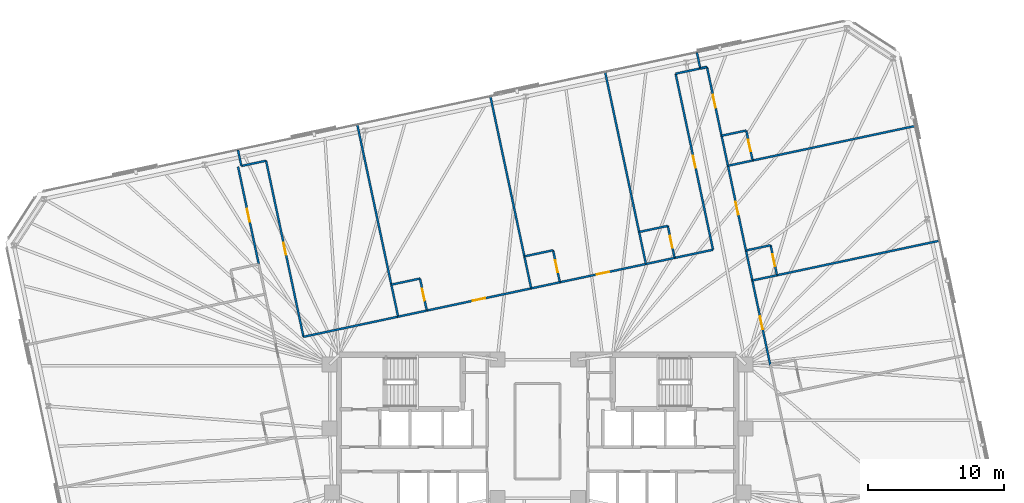
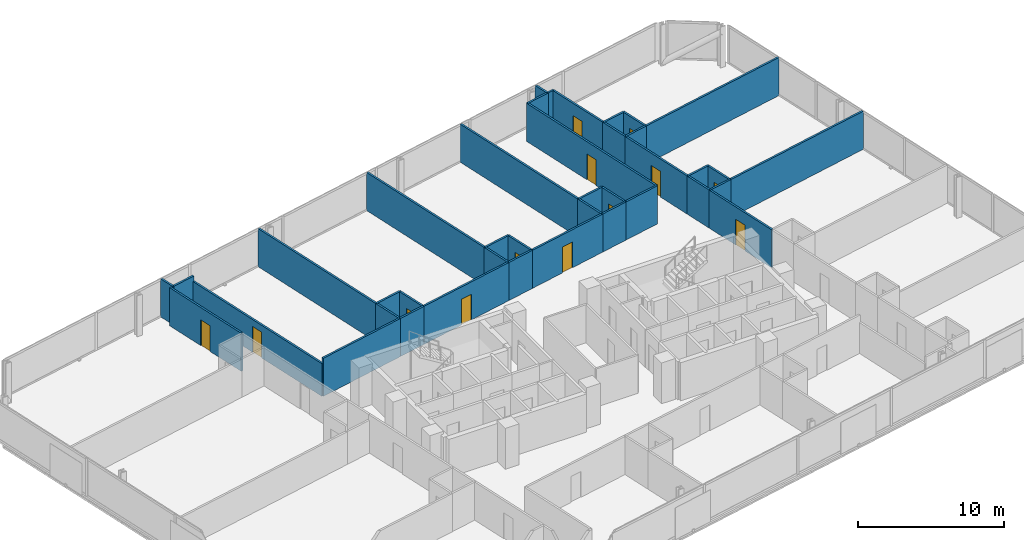
# One storey, part 17 of 19: 40 walls, 13 doors, 13 openings.
"""IFC4 building model written with IfcOpenShell, lengths in metres."""

import ifcopenshell
import ifcopenshell.guid

model = None  # the IFC model being written
_history = None  # IfcOwnerHistory: only IFC2X3 demands one
_inside = {}  # id of a spatial element -> (the spatial element, [elements in it])
_under = {}  # id of a project, library or spatial element -> (it, [spatial elements below it])
_declared = {}  # id of a project -> (the project, [libraries it declares])
_typed = {}  # id of a type object -> (the type object, [elements of that type])
_made_of = {}  # id of a material, layer set ... -> (it, [elements and type objects made of it])


def new_model(schema):
    """Start an empty IFC model of exactly this schema.

    Asked for "IFC4X3", IfcOpenShell would pick the latest addendum, in which some entities
    have other attributes; the version numbers below select the first issue.
    IFC2X3 requires an IfcOwnerHistory on every rooted entity: one is made here for all.
    """
    global model, _history
    if schema == "IFC4X3":
        model = ifcopenshell.file(schema_version=(4, 3, 0, 0))
    else:
        model = ifcopenshell.file(schema=schema)
    _inside.clear()
    _under.clear()
    _declared.clear()
    _typed.clear()
    _made_of.clear()
    _history = None
    if model.schema == "IFC2X3":
        org = make("IfcOrganization", Name="unknown")
        user = make(
            "IfcPersonAndOrganization",
            ThePerson=make("IfcPerson", FamilyName="unknown"),
            TheOrganization=org,
        )
        app = make(
            "IfcApplication",
            ApplicationDeveloper=org,
            Version="unknown",
            ApplicationFullName="unknown",
            ApplicationIdentifier="unknown",
        )
        _history = make(
            "IfcOwnerHistory",
            OwningUser=user,
            OwningApplication=app,
            ChangeAction="ADDED",
            CreationDate=0,
        )
    return model


def make(cls, **values):
    """One entity of the class cls with the attributes given. An attribute that is None is left unset."""
    return model.create_entity(
        cls, **{name: value for name, value in values.items() if value is not None}
    )


def rooted(cls, **values):
    """An entity with a GlobalId (a new one), such as an element, a storey or a relation."""
    return make(cls, GlobalId=ifcopenshell.guid.new(), OwnerHistory=_history, **values)


def si_unit(unit_type, name, prefix=None):
    """IfcSIUnit, for example si_unit("LENGTHUNIT", "METRE", prefix="MILLI")."""
    return make("IfcSIUnit", UnitType=unit_type, Prefix=prefix, Name=name)


def assignment(units):
    """IfcUnitAssignment: the units of a project."""
    return None if units is None else make("IfcUnitAssignment", Units=units)


def point(xyz):
    """IfcCartesianPoint."""
    return None if xyz is None else make("IfcCartesianPoint", Coordinates=xyz)


def direction(xyz):
    """IfcDirection."""
    return None if xyz is None else make("IfcDirection", DirectionRatios=xyz)


def frame(location, z_axis=None, x_axis=None):
    """IfcAxis2Placement3D, a coordinate frame: its origin and axes. An axis left out is left unset."""
    return make(
        "IfcAxis2Placement3D",
        Location=point(location),
        Axis=direction(z_axis),
        RefDirection=direction(x_axis),
    )


def frame_2d(location, x_axis=None):
    """IfcAxis2Placement2D, a coordinate frame in the plane: its origin and x axis."""
    return make(
        "IfcAxis2Placement2D", Location=point(location), RefDirection=direction(x_axis)
    )


def origin():
    """The frame at (0, 0, 0) with its axes left unset."""
    return frame((0.0, 0.0, 0.0))


def place(relative_to, where):
    """IfcLocalPlacement: puts the frame where relative to a parent placement (None: the world)."""
    return make(
        "IfcLocalPlacement", PlacementRelTo=relative_to, RelativePlacement=where
    )


def context(
    kind, dimensions, precision=None, world=None, true_north=None, identifier=None
):
    """IfcGeometricRepresentationContext, for example the 3D "Model" context."""
    return make(
        "IfcGeometricRepresentationContext",
        ContextIdentifier=identifier,
        ContextType=kind,
        CoordinateSpaceDimension=dimensions,
        Precision=precision,
        WorldCoordinateSystem=world,
        TrueNorth=true_north,
    )


def subcontext(parent, identifier, kind, view, scale=None):
    """IfcGeometricRepresentationSubContext, for example "Body" below "Model"."""
    return make(
        "IfcGeometricRepresentationSubContext",
        ContextIdentifier=identifier,
        ContextType=kind,
        ParentContext=parent,
        TargetScale=scale,
        TargetView=view,
    )


def project(units=None, contexts=None):
    """IfcProject with its units and contexts."""
    return rooted(
        "IfcProject",
        Name="project",
        RepresentationContexts=contexts,
        UnitsInContext=assignment(units),
    )


def spatial(cls, under=None, at=None, **own):
    """A site, building, storey or space (cls), placed at a placement, below another one or the project."""
    s = rooted(cls, ObjectPlacement=at, **own)
    if under is not None:
        _under.setdefault(under.id(), (under, []))[1].append(s)
    return s


def profile(cls, at=None, kind="AREA", **sizes):
    """A parametric profile (cls). Its sizes go by their IFC names, for example OverallWidth=200.0."""
    return make(cls, ProfileType=kind, Position=at, **sizes)


def rectangle(**sizes):
    """IfcRectangleProfileDef."""
    return profile("IfcRectangleProfileDef", **sizes)


def extrude(swept, where, along, depth):
    """IfcExtrudedAreaSolid: the profile swept, set in the frame where, extruded along a direction by depth."""
    return make(
        "IfcExtrudedAreaSolid",
        SweptArea=swept,
        Position=where,
        ExtrudedDirection=direction(along),
        Depth=depth,
    )


def shape(context_of_items, identifier, shape_type, items):
    """IfcShapeRepresentation: the items that make up one representation, for example the "Body"."""
    return make(
        "IfcShapeRepresentation",
        ContextOfItems=context_of_items,
        RepresentationIdentifier=identifier,
        RepresentationType=shape_type,
        Items=items,
    )


def material(Name=None, Category=None):
    """IfcMaterial."""
    return make("IfcMaterial", Name=Name, Category=Category)


def layer(
    of_material, thickness, ventilated=None, Name=None, Category=None, Priority=None
):
    """IfcMaterialLayer: one layer of a wall or slab, of a material (None: an air gap)."""
    return make(
        "IfcMaterialLayer",
        Material=of_material,
        LayerThickness=thickness,
        IsVentilated=ventilated,
        Name=Name,
        Category=Category,
        Priority=Priority,
    )


def layer_set(layers, Name=None):
    """IfcMaterialLayerSet."""
    return make("IfcMaterialLayerSet", MaterialLayers=layers, LayerSetName=Name)


def made_of(thing, what):
    """Note that an element or type object is made of a material, layer set ...; save() writes the relation."""
    if what is not None:
        _made_of.setdefault(what.id(), (what, []))[1].append(thing)
    return thing


def type_object(cls, material=None, **own):
    """A type object (cls), such as IfcWallType, which elements share."""
    return made_of(rooted(cls, **own), material)


def element(
    cls,
    number,
    at=None,
    inside=None,
    cuts=None,
    type_object=None,
    material=None,
    context=None,
    identifier="Body",
    shape_type=None,
    held_by="IfcProductDefinitionShape",
    body=None,
    shapes=None,
    **own,
):
    """One element of the class cls, such as IfcWall. Its Tag is "e" and its number.

    at: its placement. inside: the storey or other place that contains it. cuts: it is an
    opening in that element (IfcRelVoidsElement). A single representation is given by context,
    identifier, shape_type and body (its items); several are given by shapes. held_by: the class
    of the entity that holds the representations. save() writes the other relations.
    """
    e = rooted(cls, Tag="e%d" % number, ObjectPlacement=at, **own)
    if body is not None:
        shapes = [shape(context, identifier, shape_type, body)]
    if shapes is not None:
        e.Representation = make(held_by, Representations=shapes)
    if inside is not None:
        _inside.setdefault(inside.id(), (inside, []))[1].append(e)
    if cuts is not None:
        rooted(
            "IfcRelVoidsElement", RelatingBuildingElement=cuts, RelatedOpeningElement=e
        )
    if type_object is not None:
        _typed.setdefault(type_object.id(), (type_object, []))[1].append(e)
    return made_of(e, material)


def fill(opening, filler):
    """IfcRelFillsElement: the door or window that sits in an opening."""
    return rooted(
        "IfcRelFillsElement",
        RelatingOpeningElement=opening,
        RelatedBuildingElement=filler,
    )


def aggregate(whole, parts):
    """IfcRelAggregates: a whole, such as a stair, and the parts it consists of."""
    return rooted("IfcRelAggregates", RelatingObject=whole, RelatedObjects=parts)


def save(model, path):
    """Write the relations noted so far, then the file.

    IfcRelAggregates (storeys below a building ...), IfcRelContainedInSpatialStructure (elements
    in a storey), IfcRelDefinesByType, IfcRelAssociatesMaterial and IfcRelDeclares: one each for
    every whole, place, type object, material and project.
    """
    for whole, parts in _under.values():
        aggregate(whole, parts)
    for where, things in _inside.values():
        rooted(
            "IfcRelContainedInSpatialStructure",
            RelatedElements=things,
            RelatingStructure=where,
        )
    for kind, things in _typed.values():
        rooted("IfcRelDefinesByType", RelatedObjects=things, RelatingType=kind)
    for what, things in _made_of.values():
        rooted("IfcRelAssociatesMaterial", RelatedObjects=things, RelatingMaterial=what)
    for by, libraries in _declared.values():
        rooted("IfcRelDeclares", RelatingContext=by, RelatedDefinitions=libraries)
    model.write(path)


model = new_model("IFC4")

# Units and contexts
model_context = context("Model", 3, precision=1e-05, world=origin(), true_north=direction((0.0, 1.0)))
body_context = subcontext(model_context, "Body", "Model", "MODEL_VIEW")
ifc_project = project(units=[si_unit("LENGTHUNIT", "METRE"), si_unit("AREAUNIT", "SQUARE_METRE"), si_unit("VOLUMEUNIT", "CUBIC_METRE"), si_unit("PLANEANGLEUNIT", "RADIAN"), si_unit("MASSUNIT", "GRAM", prefix="KILO")], contexts=[model_context])

# Site, building, storey
site_placement = place(None, origin())
site = spatial("IfcSite", under=ifc_project, at=site_placement, CompositionType="ELEMENT")
building_placement = place(site_placement, origin())
building = spatial("IfcBuilding", under=site, at=building_placement, Name="Menara Jurai Vektor", CompositionType="ELEMENT")
storey_placement = place(building_placement, frame((0.0, 0.0, 195.60009765625)))
storey = spatial("IfcBuildingStorey", under=building, at=storey_placement, Name="L51", CompositionType="ELEMENT", Elevation=195.60009765625)

# Walls
ifc_material_1 = material(Name="Gypsum Fireboard Partition", Category="gypsum")
ifc_layer_1 = layer(ifc_material_1, 0.14990234375)
ifc_layer_set_1 = layer_set([ifc_layer_1], Name="Gypsum Fireboard Partition")
wall_type_1 = type_object("IfcWallType", Name="INT-WALL-CORR-150", PredefinedType="PARTITIONING", material=ifc_layer_set_1)
wall_1_placement = place(storey_placement, frame((-21.71533203125, 19.447998046875, 0.0), z_axis=(0.0, 0.0, 1.0), x_axis=(0.978160192495, 0.207852442415, 0.0)))
element("IfcWall", 1, at=wall_1_placement, inside=storey, type_object=wall_type_1, Name="Interior Wall IW-150 L51", PredefinedType="PARTITIONING", context=body_context, shape_type="SweptSolid", body=[
    extrude(rectangle(XDim=1.849853515625, YDim=0.14990234375, at=frame_2d((0.9248046875, 0.0))), origin(), (0.0, 0.0, 1.0), 3.1748046875),
])
wall_2_placement = place(storey_placement, frame((-17.162353515625, 6.92578125, 0.0), z_axis=(0.0, 0.0, 1.0), x_axis=(0.978143627193, 0.207930383978, 0.0)))
element("IfcWall", 2, at=wall_2_placement, inside=storey, type_object=wall_type_1, Name="Interior Wall IW-150 L51", PredefinedType="PARTITIONING", context=body_context, shape_type="SweptSolid", body=[
    extrude(rectangle(XDim=7.093017578125, YDim=0.14990234375, at=frame_2d((3.54638671875, 0.0))), origin(), (0.0, 0.0, 1.0), 3.1748046875),
])

# Wall, opening, door
wall_3_placement = place(storey_placement, frame((-8.121337890625, 8.84765625, 0.0), z_axis=(0.0, 0.0, 1.0), x_axis=(0.978146318695, 0.207917722244, 0.0)))
wall_3 = element("IfcWall", 3, at=wall_3_placement, inside=storey, type_object=wall_type_1, Name="Interior Wall IW-150 L51", PredefinedType="PARTITIONING", context=body_context, shape_type="SweptSolid", body=[
    extrude(rectangle(XDim=7.82373046875, YDim=0.14990234375, at=frame_2d((3.911865234375, 0.0))), origin(), (0.0, 0.0, 1.0), 3.1748046875),
])
opening_1_placement = place(wall_3_placement, frame((3.451904296875, 0.0, 0.0)))
opening_1 = element("IfcOpeningElement", 4, at=opening_1_placement, cuts=wall_3, Name="Opening D51-08", PredefinedType="OPENING", context=body_context, shape_type="SweptSolid", body=[
    extrude(rectangle(XDim=0.919921875, YDim=2.14990234375, at=frame_2d((0.4599609375, 1.074951171875))), frame((0.0, 0.0849609375, 0.0), z_axis=(0.0, -1.0, 0.0), x_axis=(1.0, 0.0, 0.0)), (0.0, 0.0, 1.0), 0.169921875),
])
ifc_material_2 = material(Name="Solid Core Timber Fire Door", Category="wood")
door_type_1 = type_object("IfcDoorType", Name="DR-ENTRY-950", OperationType="NOTDEFINED", PredefinedType="DOOR", material=ifc_material_2)
door_1_placement = place(opening_1_placement, origin())
door_1 = element("IfcDoor", 5, at=door_1_placement, inside=storey, type_object=door_type_1, Name="Interior Door D51-08", OperationType="SINGLE_SWING_LEFT", OverallHeight=2.14990234375, OverallWidth=0.919921875, PredefinedType="DOOR", context=body_context, shape_type="SweptSolid", body=[
    extrude(rectangle(XDim=0.919921875, YDim=2.14990234375, at=frame_2d((0.4599609375, 1.074951171875))), frame((0.0, 0.02490234375, 0.0), z_axis=(0.0, -1.0, 0.0), x_axis=(1.0, 0.0, 0.0)), (0.0, 0.0, 1.0), 0.050048828125),
])
fill(opening_1, door_1)

# Wall
wall_4_placement = place(storey_placement, frame((-10.224365234375, 8.400634765625, 0.0), z_axis=(0.0, 0.0, 1.0), x_axis=(0.978146728319, 0.207915795165, 0.0)))
element("IfcWall", 6, at=wall_4_placement, inside=storey, type_object=wall_type_1, Name="Interior Wall IW-150 L51", PredefinedType="PARTITIONING", context=body_context, shape_type="SweptSolid", body=[
    extrude(rectangle(XDim=2.14990234375, YDim=0.14990234375, at=frame_2d((1.074951171875, 0.0))), origin(), (0.0, 0.0, 1.0), 3.1748046875),
])

# Wall, opening, door
wall_5_placement = place(storey_placement, frame((1.634521484375, 10.92138671875, 0.0), z_axis=(0.0, 0.0, 1.0), x_axis=(0.978147881284, 0.207910370927, 0.0)))
wall_5 = element("IfcWall", 7, at=wall_5_placement, inside=storey, type_object=wall_type_1, Name="Interior Wall IW-150 L51", PredefinedType="PARTITIONING", context=body_context, shape_type="SweptSolid", body=[
    extrude(rectangle(XDim=6.448974609375, YDim=0.14990234375, at=frame_2d((3.224609375, 0.0))), origin(), (0.0, 0.0, 1.0), 3.1748046875),
])
opening_2_placement = place(wall_5_placement, frame((2.764404296875, 0.0, 0.0)))
opening_2 = element("IfcOpeningElement", 8, at=opening_2_placement, cuts=wall_5, Name="Opening D51-10", PredefinedType="OPENING", context=body_context, shape_type="SweptSolid", body=[
    extrude(rectangle(XDim=0.919921875, YDim=2.14990234375, at=frame_2d((0.4599609375, 1.074951171875))), frame((0.0, 0.0849609375, 0.0), z_axis=(0.0, -1.0, 0.0), x_axis=(1.0, 0.0, 0.0)), (0.0, 0.0, 1.0), 0.169921875),
])
door_2_placement = place(opening_2_placement, origin())
door_2 = element("IfcDoor", 9, at=door_2_placement, inside=storey, type_object=door_type_1, Name="Interior Door D51-10", OperationType="SINGLE_SWING_LEFT", OverallHeight=2.14990234375, OverallWidth=0.919921875, PredefinedType="DOOR", context=body_context, shape_type="SweptSolid", body=[
    extrude(rectangle(XDim=0.919921875, YDim=2.14990234375, at=frame_2d((0.4599609375, 1.074951171875))), frame((0.0, 0.02490234375, 0.0), z_axis=(0.0, -1.0, 0.0), x_axis=(1.0, 0.0, 0.0)), (0.0, 0.0, 1.0), 0.050048828125),
])
fill(opening_2, door_2)

# Walls
wall_6_placement = place(storey_placement, frame((-0.468505859375, 10.474365234375, 0.0), z_axis=(0.0, 0.0, 1.0), x_axis=(0.978146728319, 0.207915795165, 0.0)))
element("IfcWall", 10, at=wall_6_placement, inside=storey, type_object=wall_type_1, Name="Interior Wall IW-150 L51", PredefinedType="PARTITIONING", context=body_context, shape_type="SweptSolid", body=[
    extrude(rectangle(XDim=2.14990234375, YDim=0.14990234375, at=frame_2d((1.074951171875, 0.0))), origin(), (0.0, 0.0, 1.0), 3.1748046875),
])
wall_7_placement = place(storey_placement, frame((10.045654296875, 12.709228515625, 0.0), z_axis=(0.0, 0.0, 1.0), x_axis=(0.97816208355, 0.207843542851, 0.0)))
element("IfcWall", 11, at=wall_7_placement, inside=storey, type_object=wall_type_1, Name="Interior Wall IW-150 L51", PredefinedType="PARTITIONING", context=body_context, shape_type="SweptSolid", body=[
    extrude(rectangle(XDim=2.879150390625, YDim=0.14990234375, at=frame_2d((1.439453125, 0.0))), origin(), (0.0, 0.0, 1.0), 3.1748046875),
])

# Wall, opening, door
wall_8_placement = place(storey_placement, frame((12.86181640625, 13.3076171875, 0.0), z_axis=(0.0, 0.0, 1.0), x_axis=(-0.207911421929, 0.978147657888, 0.0)))
wall_8 = element("IfcWall", 12, at=wall_8_placement, inside=storey, type_object=wall_type_1, Name="Interior Wall IW-150 L51", PredefinedType="PARTITIONING", context=body_context, shape_type="SweptSolid", body=[
    extrude(rectangle(XDim=13.195068359375, YDim=0.14990234375, at=frame_2d((6.59765625, 0.0))), origin(), (0.0, 0.0, 1.0), 3.1748046875),
])
opening_3_placement = place(wall_8_placement, frame((6.137451171875, 0.0, 0.0)))
opening_3 = element("IfcOpeningElement", 13, at=opening_3_placement, cuts=wall_8, Name="Opening D51-12", PredefinedType="OPENING", context=body_context, shape_type="SweptSolid", body=[
    extrude(rectangle(XDim=0.919921875, YDim=2.14990234375, at=frame_2d((0.4599609375, 1.074951171875))), frame((0.0, 0.0849609375, 0.0), z_axis=(0.0, -1.0, 0.0), x_axis=(1.0, 0.0, 0.0)), (0.0, 0.0, 1.0), 0.169921875),
])
door_3_placement = place(opening_3_placement, origin())
door_3 = element("IfcDoor", 14, at=door_3_placement, inside=storey, type_object=door_type_1, Name="Interior Door D51-12", OperationType="SINGLE_SWING_LEFT", OverallHeight=2.14990234375, OverallWidth=0.919921875, PredefinedType="DOOR", context=body_context, shape_type="SweptSolid", body=[
    extrude(rectangle(XDim=0.919921875, YDim=2.14990234375, at=frame_2d((0.4599609375, 1.074951171875))), frame((0.0, 0.02490234375, 0.0), z_axis=(0.0, -1.0, 0.0), x_axis=(1.0, 0.0, 0.0)), (0.0, 0.0, 1.0), 0.050048828125),
])
fill(opening_3, door_3)

# Walls
wall_9_placement = place(storey_placement, frame((10.118408203125, 26.21435546875, 0.0), z_axis=(0.0, 0.0, 1.0), x_axis=(0.978133353907, 0.20797870558, 0.0)))
element("IfcWall", 15, at=wall_9_placement, inside=storey, type_object=wall_type_1, Name="Interior Wall IW-150 L51", PredefinedType="PARTITIONING", context=body_context, shape_type="SweptSolid", body=[
    extrude(rectangle(XDim=1.85009765625, YDim=0.14990234375, at=frame_2d((0.925048828125, 0.0))), origin(), (0.0, 0.0, 1.0), 3.1748046875),
])
wall_10_placement = place(storey_placement, frame((7.942626953125, 12.26220703125, 0.0), z_axis=(0.0, 0.0, 1.0), x_axis=(0.978146728319, 0.207915795165, 0.0)))
element("IfcWall", 16, at=wall_10_placement, inside=storey, type_object=wall_type_1, Name="Interior Wall IW-150 L51", PredefinedType="PARTITIONING", context=body_context, shape_type="SweptSolid", body=[
    extrude(rectangle(XDim=2.14990234375, YDim=0.14990234375, at=frame_2d((1.074951171875, 0.0))), origin(), (0.0, 0.0, 1.0), 3.1748046875),
])

# Wall, opening, door
wall_11_placement = place(storey_placement, frame((-20.442138671875, 12.25537109375, 0.0), z_axis=(0.0, 0.0, 1.0), x_axis=(-0.207916352354, 0.978146609882, 0.0)))
wall_11 = element("IfcWall", 17, at=wall_11_placement, inside=storey, type_object=wall_type_1, Name="Interior Wall IW-150 L51", PredefinedType="PARTITIONING", context=body_context, shape_type="SweptSolid", body=[
    extrude(rectangle(XDim=7.300048828125, YDim=0.14990234375, at=frame_2d((3.64990234375, 0.0))), origin(), (0.0, 0.0, 1.0), 3.1748046875),
])
opening_4_placement = place(wall_11_placement, frame((3.175048828125, 0.0, 0.0)))
opening_4 = element("IfcOpeningElement", 18, at=opening_4_placement, cuts=wall_11, Name="Opening D51-25", PredefinedType="OPENING", context=body_context, shape_type="SweptSolid", body=[
    extrude(rectangle(XDim=0.949951171875, YDim=2.14990234375, at=frame_2d((0.47509765625, 1.074951171875))), frame((0.0, 0.0849609375, 0.0), z_axis=(0.0, -1.0, 0.0), x_axis=(1.0, 0.0, 0.0)), (0.0, 0.0, 1.0), 0.169921875),
])
door_4_placement = place(opening_4_placement, origin())
door_4 = element("IfcDoor", 19, at=door_4_placement, inside=storey, type_object=door_type_1, Name="Interior Door D51-25", OperationType="SINGLE_SWING_RIGHT", OverallHeight=2.14990234375, OverallWidth=0.949951171875, PredefinedType="DOOR", context=body_context, shape_type="SweptSolid", body=[
    extrude(rectangle(XDim=0.949951171875, YDim=2.14990234375, at=frame_2d((0.47509765625, 1.074951171875))), frame((0.0, 0.02490234375, 0.0), z_axis=(0.0, -1.0, 0.0), x_axis=(1.0, 0.0, 0.0)), (0.0, 0.0, 1.0), 0.050048828125),
])
fill(opening_4, door_4)

wall_12_placement = place(storey_placement, frame((17.06396484375, 4.84130859375, 0.0), z_axis=(0.0, 0.0, 1.0), x_axis=(-0.207924511115, 0.978144875608, 0.0)))
wall_12 = element("IfcWall", 20, at=wall_12_placement, inside=storey, type_object=wall_type_1, Name="Interior Wall IW-150 L51", PredefinedType="PARTITIONING", context=body_context, shape_type="SweptSolid", body=[
    extrude(rectangle(XDim=6.349853515625, YDim=0.14990234375, at=frame_2d((3.1748046875, 0.0))), origin(), (0.0, 0.0, 1.0), 3.1748046875),
])
opening_5_placement = place(wall_12_placement, frame((2.699951171875, 0.0, 0.0)))
opening_5 = element("IfcOpeningElement", 21, at=opening_5_placement, cuts=wall_12, Name="Opening D51-31", PredefinedType="OPENING", context=body_context, shape_type="SweptSolid", body=[
    extrude(rectangle(XDim=0.949951171875, YDim=2.14990234375, at=frame_2d((0.47509765625, 1.074951171875))), frame((0.0, 0.0849609375, 0.0), z_axis=(0.0, -1.0, 0.0), x_axis=(1.0, 0.0, 0.0)), (0.0, 0.0, 1.0), 0.169921875),
])
door_5_placement = place(opening_5_placement, origin())
door_5 = element("IfcDoor", 22, at=door_5_placement, inside=storey, type_object=door_type_1, Name="Interior Door D51-31", OperationType="SINGLE_SWING_RIGHT", OverallHeight=2.14990234375, OverallWidth=0.949951171875, PredefinedType="DOOR", context=body_context, shape_type="SweptSolid", body=[
    extrude(rectangle(XDim=0.949951171875, YDim=2.14990234375, at=frame_2d((0.47509765625, 1.074951171875))), frame((0.0, 0.02490234375, 0.0), z_axis=(0.0, -1.0, 0.0), x_axis=(1.0, 0.0, 0.0)), (0.0, 0.0, 1.0), 0.050048828125),
])
fill(opening_5, door_5)

wall_13_placement = place(storey_placement, frame((15.27587890625, 13.25341796875, 0.0), z_axis=(0.0, 0.0, 1.0), x_axis=(-0.207924511115, 0.978144875608, 0.0)))
wall_13 = element("IfcWall", 23, at=wall_13_placement, inside=storey, type_object=wall_type_1, Name="Interior Wall IW-150 L51", PredefinedType="PARTITIONING", context=body_context, shape_type="SweptSolid", body=[
    extrude(rectangle(XDim=6.349853515625, YDim=0.14990234375, at=frame_2d((3.1748046875, 0.0))), origin(), (0.0, 0.0, 1.0), 3.1748046875),
])
opening_6_placement = place(wall_13_placement, frame((2.699951171875, 0.0, 0.0)))
opening_6 = element("IfcOpeningElement", 24, at=opening_6_placement, cuts=wall_13, Name="Opening D51-33", PredefinedType="OPENING", context=body_context, shape_type="SweptSolid", body=[
    extrude(rectangle(XDim=0.949951171875, YDim=2.14990234375, at=frame_2d((0.47509765625, 1.074951171875))), frame((0.0, 0.0849609375, 0.0), z_axis=(0.0, -1.0, 0.0), x_axis=(1.0, 0.0, 0.0)), (0.0, 0.0, 1.0), 0.169921875),
])
door_6_placement = place(opening_6_placement, origin())
door_6 = element("IfcDoor", 25, at=door_6_placement, inside=storey, type_object=door_type_1, Name="Interior Door D51-33", OperationType="SINGLE_SWING_RIGHT", OverallHeight=2.14990234375, OverallWidth=0.949951171875, PredefinedType="DOOR", context=body_context, shape_type="SweptSolid", body=[
    extrude(rectangle(XDim=0.949951171875, YDim=2.14990234375, at=frame_2d((0.47509765625, 1.074951171875))), frame((0.0, 0.02490234375, 0.0), z_axis=(0.0, -1.0, 0.0), x_axis=(1.0, 0.0, 0.0)), (0.0, 0.0, 1.0), 0.050048828125),
])
fill(opening_6, door_6)

# Walls
wall_14_placement = place(storey_placement, frame((15.74365234375, 11.052490234375, 0.0), z_axis=(0.0, 0.0, 1.0), x_axis=(-0.207891197838, 0.978151956427, 0.0)))
element("IfcWall", 26, at=wall_14_placement, inside=storey, type_object=wall_type_1, Name="Interior Wall IW-150 L51", PredefinedType="PARTITIONING", context=body_context, shape_type="SweptSolid", body=[
    extrude(rectangle(XDim=2.25, YDim=0.14990234375, at=frame_2d((1.125, 0.0))), origin(), (0.0, 0.0, 1.0), 3.1748046875),
])
wall_15_placement = place(storey_placement, frame((11.927978515625, 26.59912109375, 0.0), z_axis=(0.0, 0.0, 1.0), x_axis=(0.97822210712, 0.207560856478, 0.0)))
element("IfcWall", 27, at=wall_15_placement, inside=storey, type_object=wall_type_1, Name="Interior Wall IW-150 L51", PredefinedType="PARTITIONING", context=body_context, shape_type="SweptSolid", body=[
    extrude(rectangle(XDim=0.5, YDim=0.14990234375, at=frame_2d((0.25, 0.0))), origin(), (0.0, 0.0, 1.0), 3.1748046875),
])

# Wall, opening, door
wall_16_placement = place(storey_placement, frame((13.48779296875, 21.66552734375, 0.0), z_axis=(0.0, 0.0, 1.0), x_axis=(-0.207926226209, 0.978144511028, 0.0)))
wall_16 = element("IfcWall", 28, at=wall_16_placement, inside=storey, type_object=wall_type_1, Name="Interior Wall IW-150 L51", PredefinedType="PARTITIONING", context=body_context, shape_type="SweptSolid", body=[
    extrude(rectangle(XDim=5.14990234375, YDim=0.14990234375, at=frame_2d((2.574951171875, 0.0))), origin(), (0.0, 0.0, 1.0), 3.1748046875),
])
opening_7_placement = place(wall_16_placement, frame((2.10009765625, 0.0, 0.0)))
opening_7 = element("IfcOpeningElement", 29, at=opening_7_placement, cuts=wall_16, Name="Opening D51-35", PredefinedType="OPENING", context=body_context, shape_type="SweptSolid", body=[
    extrude(rectangle(XDim=0.949951171875, YDim=2.14990234375, at=frame_2d((0.47509765625, 1.074951171875))), frame((0.0, 0.0849609375, 0.0), z_axis=(0.0, -1.0, 0.0), x_axis=(1.0, 0.0, 0.0)), (0.0, 0.0, 1.0), 0.169921875),
])
door_7_placement = place(opening_7_placement, origin())
door_7 = element("IfcDoor", 30, at=door_7_placement, inside=storey, type_object=door_type_1, Name="Interior Door D51-35", OperationType="SINGLE_SWING_RIGHT", OverallHeight=2.14990234375, OverallWidth=0.949951171875, PredefinedType="DOOR", context=body_context, shape_type="SweptSolid", body=[
    extrude(rectangle(XDim=0.949951171875, YDim=2.14990234375, at=frame_2d((0.47509765625, 1.074951171875))), frame((0.0, 0.02490234375, 0.0), z_axis=(0.0, -1.0, 0.0), x_axis=(1.0, 0.0, 0.0)), (0.0, 0.0, 1.0), 0.050048828125),
])
fill(opening_7, door_7)

# Walls
wall_17_placement = place(storey_placement, frame((13.95556640625, 19.464599609375, 0.0), z_axis=(0.0, 0.0, 1.0), x_axis=(-0.207891197838, 0.978151956427, 0.0)))
element("IfcWall", 31, at=wall_17_placement, inside=storey, type_object=wall_type_1, Name="Interior Wall IW-150 L51", PredefinedType="PARTITIONING", context=body_context, shape_type="SweptSolid", body=[
    extrude(rectangle(XDim=2.25, YDim=0.14990234375, at=frame_2d((1.125, 0.0))), origin(), (0.0, 0.0, 1.0), 3.1748046875),
])
wall_18_placement = place(storey_placement, frame((-10.723388671875, 10.748291015625, 0.0), z_axis=(0.0, 0.0, 1.0), x_axis=(-0.207914988081, 0.978146899873, 0.0)))
element("IfcWall", 32, at=wall_18_placement, inside=storey, type_object=wall_type_1, Name="Interior Wall IW-150 L51", PredefinedType="PARTITIONING", context=body_context, shape_type="SweptSolid", body=[
    extrude(rectangle(XDim=11.994873046875, YDim=0.14990234375, at=frame_2d((5.99755859375, 0.0))), origin(), (0.0, 0.0, 1.0), 3.1748046875),
])
wall_19_placement = place(storey_placement, frame((-10.224365234375, 8.400634765625, 0.0), z_axis=(0.0, 0.0, 1.0), x_axis=(-0.207917150959, 0.978146440129, 0.0)))
element("IfcWall", 33, at=wall_19_placement, inside=storey, type_object=wall_type_1, Name="Interior Wall IW-150 L51", PredefinedType="PARTITIONING", context=body_context, shape_type="SweptSolid", body=[
    extrude(rectangle(XDim=2.400146484375, YDim=0.14990234375, at=frame_2d((1.2001953125, 0.0))), origin(), (0.0, 0.0, 1.0), 3.1748046875),
])
wall_20_placement = place(storey_placement, frame((-21.71533203125, 19.447998046875, 0.0), z_axis=(0.0, 0.0, 1.0), x_axis=(-0.20795853359, 0.978137642823, 0.0)))
element("IfcWall", 34, at=wall_20_placement, inside=storey, type_object=wall_type_1, Name="Interior Wall IW-150 L51", PredefinedType="PARTITIONING", context=body_context, shape_type="SweptSolid", body=[
    extrude(rectangle(XDim=1.19970703125, YDim=0.14990234375, at=frame_2d((0.599853515625, 0.0))), origin(), (0.0, 0.0, 1.0), 3.1748046875),
])
wall_21_placement = place(storey_placement, frame((-10.723388671875, 10.748291015625, 0.0), z_axis=(0.0, 0.0, 1.0), x_axis=(0.978146728319, 0.207915795165, 0.0)))
element("IfcWall", 35, at=wall_21_placement, inside=storey, type_object=wall_type_1, Name="Interior Wall IW-150 L51", PredefinedType="PARTITIONING", context=body_context, shape_type="SweptSolid", body=[
    extrude(rectangle(XDim=2.14990234375, YDim=0.14990234375, at=frame_2d((1.074951171875, 0.0))), origin(), (0.0, 0.0, 1.0), 3.1748046875),
])

# Wall, opening, door
wall_22_placement = place(storey_placement, frame((-8.121337890625, 8.84765625, 0.0), z_axis=(0.0, 0.0, 1.0), x_axis=(-0.207917150959, 0.978146440129, 0.0)))
wall_22 = element("IfcWall", 36, at=wall_22_placement, inside=storey, type_object=wall_type_1, Name="Interior Wall IW-150 L51", PredefinedType="PARTITIONING", context=body_context, shape_type="SweptSolid", body=[
    extrude(rectangle(XDim=2.400146484375, YDim=0.14990234375, at=frame_2d((1.2001953125, 0.0))), origin(), (0.0, 0.0, 1.0), 3.1748046875),
])
opening_8_placement = place(wall_22_placement, frame((0.760009765625, 0.0, 0.0)))
opening_8 = element("IfcOpeningElement", 37, at=opening_8_placement, cuts=wall_22, Name="Opening D51-09", PredefinedType="OPENING", context=body_context, shape_type="SweptSolid", body=[
    extrude(rectangle(XDim=0.8798828125, YDim=2.14990234375, at=frame_2d((0.43994140625, 1.074951171875))), frame((0.0, 0.0849609375, 0.0), z_axis=(0.0, -1.0, 0.0), x_axis=(1.0, 0.0, 0.0)), (0.0, 0.0, 1.0), 0.169921875),
])
ifc_material_3 = material(Name="Moisture-Resistant Timber Door", Category="wood")
door_type_2 = type_object("IfcDoorType", Name="DR-BATH-880", OperationType="NOTDEFINED", PredefinedType="DOOR", material=ifc_material_3)
door_8_placement = place(opening_8_placement, origin())
door_8 = element("IfcDoor", 38, at=door_8_placement, inside=storey, type_object=door_type_2, Name="Interior Door D51-09", OperationType="SINGLE_SWING_RIGHT", OverallHeight=2.14990234375, OverallWidth=0.8798828125, PredefinedType="DOOR", context=body_context, shape_type="SweptSolid", body=[
    extrude(rectangle(XDim=0.8798828125, YDim=2.14990234375, at=frame_2d((0.43994140625, 1.074951171875))), frame((0.0, 0.02490234375, 0.0), z_axis=(0.0, -1.0, 0.0), x_axis=(1.0, 0.0, 0.0)), (0.0, 0.0, 1.0), 0.050048828125),
])
fill(opening_8, door_8)

# Walls
wall_23_placement = place(storey_placement, frame((-0.96728515625, 12.822021484375, 0.0), z_axis=(0.0, 0.0, 1.0), x_axis=(-0.207914988081, 0.978146899873, 0.0)))
element("IfcWall", 39, at=wall_23_placement, inside=storey, type_object=wall_type_1, Name="Interior Wall IW-150 L51", PredefinedType="PARTITIONING", context=body_context, shape_type="SweptSolid", body=[
    extrude(rectangle(XDim=11.994873046875, YDim=0.14990234375, at=frame_2d((5.99755859375, 0.0))), origin(), (0.0, 0.0, 1.0), 3.1748046875),
])
wall_24_placement = place(storey_placement, frame((-0.468505859375, 10.474365234375, 0.0), z_axis=(0.0, 0.0, 1.0), x_axis=(-0.207819824493, 0.978167123015, 0.0)))
element("IfcWall", 40, at=wall_24_placement, inside=storey, type_object=wall_type_1, Name="Interior Wall IW-150 L51", PredefinedType="PARTITIONING", context=body_context, shape_type="SweptSolid", body=[
    extrude(rectangle(XDim=2.400146484375, YDim=0.14990234375, at=frame_2d((1.2001953125, 0.0))), origin(), (0.0, 0.0, 1.0), 3.1748046875),
])
wall_25_placement = place(storey_placement, frame((-0.96728515625, 12.822021484375, 0.0), z_axis=(0.0, 0.0, 1.0), x_axis=(0.978169816376, 0.207807146966, 0.0)))
element("IfcWall", 41, at=wall_25_placement, inside=storey, type_object=wall_type_1, Name="Interior Wall IW-150 L51", PredefinedType="PARTITIONING", context=body_context, shape_type="SweptSolid", body=[
    extrude(rectangle(XDim=2.14990234375, YDim=0.14990234375, at=frame_2d((1.074951171875, 0.0))), origin(), (0.0, 0.0, 1.0), 3.1748046875),
])

# Wall, opening, door
wall_26_placement = place(storey_placement, frame((1.634521484375, 10.92138671875, 0.0), z_axis=(0.0, 0.0, 1.0), x_axis=(-0.207840504985, 0.978162729042, 0.0)))
wall_26 = element("IfcWall", 42, at=wall_26_placement, inside=storey, type_object=wall_type_1, Name="Interior Wall IW-150 L51", PredefinedType="PARTITIONING", context=body_context, shape_type="SweptSolid", body=[
    extrude(rectangle(XDim=2.39990234375, YDim=0.14990234375, at=frame_2d((1.199951171875, 0.0))), origin(), (0.0, 0.0, 1.0), 3.1748046875),
])
opening_9_placement = place(wall_26_placement, frame((0.760009765625, 0.0, 0.0)))
opening_9 = element("IfcOpeningElement", 43, at=opening_9_placement, cuts=wall_26, Name="Opening D51-11", PredefinedType="OPENING", context=body_context, shape_type="SweptSolid", body=[
    extrude(rectangle(XDim=0.8798828125, YDim=2.14990234375, at=frame_2d((0.43994140625, 1.074951171875))), frame((0.0, 0.0849609375, 0.0), z_axis=(0.0, -1.0, 0.0), x_axis=(1.0, 0.0, 0.0)), (0.0, 0.0, 1.0), 0.169921875),
])
door_9_placement = place(opening_9_placement, origin())
door_9 = element("IfcDoor", 44, at=door_9_placement, inside=storey, type_object=door_type_2, Name="Interior Door D51-11", OperationType="SINGLE_SWING_RIGHT", OverallHeight=2.14990234375, OverallWidth=0.8798828125, PredefinedType="DOOR", context=body_context, shape_type="SweptSolid", body=[
    extrude(rectangle(XDim=0.8798828125, YDim=2.14990234375, at=frame_2d((0.43994140625, 1.074951171875))), frame((0.0, 0.02490234375, 0.0), z_axis=(0.0, -1.0, 0.0), x_axis=(1.0, 0.0, 0.0)), (0.0, 0.0, 1.0), 0.050048828125),
])
fill(opening_9, door_9)

# Walls
wall_27_placement = place(storey_placement, frame((7.443603515625, 14.609619140625, 0.0), z_axis=(0.0, 0.0, 1.0), x_axis=(-0.207910848762, 0.978147779718, 0.0)))
element("IfcWall", 45, at=wall_27_placement, inside=storey, type_object=wall_type_1, Name="Interior Wall IW-150 L51", PredefinedType="PARTITIONING", context=body_context, shape_type="SweptSolid", body=[
    extrude(rectangle(XDim=11.9951171875, YDim=0.14990234375, at=frame_2d((5.99755859375, 0.0))), origin(), (0.0, 0.0, 1.0), 3.1748046875),
])
wall_28_placement = place(storey_placement, frame((7.942626953125, 12.26220703125, 0.0), z_axis=(0.0, 0.0, 1.0), x_axis=(-0.207937840262, 0.978142042133, 0.0)))
element("IfcWall", 46, at=wall_28_placement, inside=storey, type_object=wall_type_1, Name="Interior Wall IW-150 L51", PredefinedType="PARTITIONING", context=body_context, shape_type="SweptSolid", body=[
    extrude(rectangle(XDim=2.39990234375, YDim=0.14990234375, at=frame_2d((1.199951171875, 0.0))), origin(), (0.0, 0.0, 1.0), 3.1748046875),
])
wall_29_placement = place(storey_placement, frame((7.443603515625, 14.609619140625, 0.0), z_axis=(0.0, 0.0, 1.0), x_axis=(0.978151636287, 0.207892704126, 0.0)))
element("IfcWall", 47, at=wall_29_placement, inside=storey, type_object=wall_type_1, Name="Interior Wall IW-150 L51", PredefinedType="PARTITIONING", context=body_context, shape_type="SweptSolid", body=[
    extrude(rectangle(XDim=2.150146484375, YDim=0.14990234375, at=frame_2d((1.0751953125, 0.0))), origin(), (0.0, 0.0, 1.0), 3.1748046875),
])

# Wall, opening, door
wall_30_placement = place(storey_placement, frame((10.045654296875, 12.709228515625, 0.0), z_axis=(0.0, 0.0, 1.0), x_axis=(-0.207840504985, 0.978162729042, 0.0)))
wall_30 = element("IfcWall", 48, at=wall_30_placement, inside=storey, type_object=wall_type_1, Name="Interior Wall IW-150 L51", PredefinedType="PARTITIONING", context=body_context, shape_type="SweptSolid", body=[
    extrude(rectangle(XDim=2.39990234375, YDim=0.14990234375, at=frame_2d((1.199951171875, 0.0))), origin(), (0.0, 0.0, 1.0), 3.1748046875),
])
opening_10_placement = place(wall_30_placement, frame((0.760009765625, 0.0, 0.0)))
opening_10 = element("IfcOpeningElement", 49, at=opening_10_placement, cuts=wall_30, Name="Opening D51-13", PredefinedType="OPENING", context=body_context, shape_type="SweptSolid", body=[
    extrude(rectangle(XDim=0.8798828125, YDim=2.14990234375, at=frame_2d((0.43994140625, 1.074951171875))), frame((0.0, 0.0849609375, 0.0), z_axis=(0.0, -1.0, 0.0), x_axis=(1.0, 0.0, 0.0)), (0.0, 0.0, 1.0), 0.169921875),
])
door_10_placement = place(opening_10_placement, origin())
door_10 = element("IfcDoor", 50, at=door_10_placement, inside=storey, type_object=door_type_2, Name="Interior Door D51-13", OperationType="SINGLE_SWING_RIGHT", OverallHeight=2.14990234375, OverallWidth=0.8798828125, PredefinedType="DOOR", context=body_context, shape_type="SweptSolid", body=[
    extrude(rectangle(XDim=0.8798828125, YDim=2.14990234375, at=frame_2d((0.43994140625, 1.074951171875))), frame((0.0, 0.02490234375, 0.0), z_axis=(0.0, -1.0, 0.0), x_axis=(1.0, 0.0, 0.0)), (0.0, 0.0, 1.0), 0.050048828125),
])
fill(opening_10, door_10)

# Walls
wall_31_placement = place(storey_placement, frame((11.927978515625, 26.59912109375, 0.0), z_axis=(0.0, 0.0, 1.0), x_axis=(-0.20795853359, 0.978137642823, 0.0)))
element("IfcWall", 51, at=wall_31_placement, inside=storey, type_object=wall_type_1, Name="Interior Wall IW-150 L51", PredefinedType="PARTITIONING", context=body_context, shape_type="SweptSolid", body=[
    extrude(rectangle(XDim=1.19970703125, YDim=0.14990234375, at=frame_2d((0.599853515625, 0.0))), origin(), (0.0, 0.0, 1.0), 3.1748046875),
])
wall_32_placement = place(storey_placement, frame((17.55322265625, 11.437255859375, 0.0), z_axis=(0.0, 0.0, 1.0), x_axis=(0.97814556055, 0.207921288896, 0.0)))
element("IfcWall", 52, at=wall_32_placement, inside=storey, type_object=wall_type_1, Name="Interior Wall IW-150 L51", PredefinedType="PARTITIONING", context=body_context, shape_type="SweptSolid", body=[
    extrude(rectangle(XDim=12.18701171875, YDim=0.14990234375, at=frame_2d((6.093505859375, 0.0))), origin(), (0.0, 0.0, 1.0), 3.1748046875),
])
for number, where, z_axis, x_axis, name in (
    (53, (15.74365234375, 11.052490234375, 0.0), (0.0, 0.0, 1.0), (0.978133353907, 0.20797870558, 0.0), "Interior Wall IW-150 L51"),
    (54, (15.27587890625, 13.25341796875, 0.0), (0.0, 0.0, 1.0), (0.978133353907, 0.20797870558, 0.0), "Interior Wall IW-150 L51"),
):
    element("IfcWall", number, at=place(storey_placement, frame(where, z_axis=z_axis, x_axis=x_axis)), inside=storey, type_object=wall_type_1, Name=name, PredefinedType="PARTITIONING", context=body_context, shape_type="SweptSolid", body=[
        extrude(rectangle(XDim=1.85009765625, YDim=0.14990234375, at=frame_2d((0.925048828125, 0.0))), origin(), (0.0, 0.0, 1.0), 3.1748046875),
    ])

# Wall, opening, door
wall_33_placement = place(storey_placement, frame((17.55322265625, 11.437255859375, 0.0), z_axis=(0.0, 0.0, 1.0), x_axis=(-0.207891197838, 0.978151956427, 0.0)))
wall_33 = element("IfcWall", 55, at=wall_33_placement, inside=storey, type_object=wall_type_1, Name="Interior Wall IW-150 L51", PredefinedType="PARTITIONING", context=body_context, shape_type="SweptSolid", body=[
    extrude(rectangle(XDim=2.25, YDim=0.14990234375, at=frame_2d((1.125, 0.0))), origin(), (0.0, 0.0, 1.0), 3.1748046875),
])
opening_11_placement = place(wall_33_placement, frame((0.68505859375, 0.0, 0.0)))
opening_11 = element("IfcOpeningElement", 56, at=opening_11_placement, cuts=wall_33, Name="Opening D51-34", PredefinedType="OPENING", context=body_context, shape_type="SweptSolid", body=[
    extrude(rectangle(XDim=0.8798828125, YDim=2.14990234375, at=frame_2d((0.43994140625, 1.074951171875))), frame((0.0, 0.0849609375, 0.0), z_axis=(0.0, -1.0, 0.0), x_axis=(1.0, 0.0, 0.0)), (0.0, 0.0, 1.0), 0.169921875),
])
door_11_placement = place(opening_11_placement, origin())
door_11 = element("IfcDoor", 57, at=door_11_placement, inside=storey, type_object=door_type_2, Name="Interior Door D51-34", OperationType="SINGLE_SWING_LEFT", OverallHeight=2.14990234375, OverallWidth=0.8798828125, PredefinedType="DOOR", context=body_context, shape_type="SweptSolid", body=[
    extrude(rectangle(XDim=0.8798828125, YDim=2.14990234375, at=frame_2d((0.43994140625, 1.074951171875))), frame((0.0, 0.02490234375, 0.0), z_axis=(0.0, -1.0, 0.0), x_axis=(1.0, 0.0, 0.0)), (0.0, 0.0, 1.0), 0.050048828125),
])
fill(opening_11, door_11)

# Walls
wall_34_placement = place(storey_placement, frame((15.76513671875, 19.849365234375, 0.0), z_axis=(0.0, 0.0, 1.0), x_axis=(0.978149634612, 0.207902121941, 0.0)))
element("IfcWall", 58, at=wall_34_placement, inside=storey, type_object=wall_type_1, Name="Interior Wall IW-150 L51", PredefinedType="PARTITIONING", context=body_context, shape_type="SweptSolid", body=[
    extrude(rectangle(XDim=12.18701171875, YDim=0.14990234375, at=frame_2d((6.093505859375, 0.0))), origin(), (0.0, 0.0, 1.0), 3.1748046875),
])
for number, where, z_axis, x_axis, name in (
    (59, (13.95556640625, 19.464599609375, 0.0), (0.0, 0.0, 1.0), (0.978133353907, 0.20797870558, 0.0), "Interior Wall IW-150 L51"),
    (60, (13.48779296875, 21.66552734375, 0.0), (0.0, 0.0, 1.0), (0.978133353907, 0.20797870558, 0.0), "Interior Wall IW-150 L51"),
):
    element("IfcWall", number, at=place(storey_placement, frame(where, z_axis=z_axis, x_axis=x_axis)), inside=storey, type_object=wall_type_1, Name=name, PredefinedType="PARTITIONING", context=body_context, shape_type="SweptSolid", body=[
        extrude(rectangle(XDim=1.85009765625, YDim=0.14990234375, at=frame_2d((0.925048828125, 0.0))), origin(), (0.0, 0.0, 1.0), 3.1748046875),
    ])

# Wall, opening, door
wall_35_placement = place(storey_placement, frame((15.76513671875, 19.849365234375, 0.0), z_axis=(0.0, 0.0, 1.0), x_axis=(-0.207891197838, 0.978151956427, 0.0)))
wall_35 = element("IfcWall", 61, at=wall_35_placement, inside=storey, type_object=wall_type_1, Name="Interior Wall IW-150 L51", PredefinedType="PARTITIONING", context=body_context, shape_type="SweptSolid", body=[
    extrude(rectangle(XDim=2.25, YDim=0.14990234375, at=frame_2d((1.125, 0.0))), origin(), (0.0, 0.0, 1.0), 3.1748046875),
])
opening_12_placement = place(wall_35_placement, frame((0.68505859375, 0.0, 0.0)))
opening_12 = element("IfcOpeningElement", 62, at=opening_12_placement, cuts=wall_35, Name="Opening D51-36", PredefinedType="OPENING", context=body_context, shape_type="SweptSolid", body=[
    extrude(rectangle(XDim=0.8798828125, YDim=2.14990234375, at=frame_2d((0.43994140625, 1.074951171875))), frame((0.0, 0.0849609375, 0.0), z_axis=(0.0, -1.0, 0.0), x_axis=(1.0, 0.0, 0.0)), (0.0, 0.0, 1.0), 0.169921875),
])
door_12_placement = place(opening_12_placement, origin())
door_12 = element("IfcDoor", 63, at=door_12_placement, inside=storey, type_object=door_type_2, Name="Interior Door D51-36", OperationType="SINGLE_SWING_LEFT", OverallHeight=2.14990234375, OverallWidth=0.8798828125, PredefinedType="DOOR", context=body_context, shape_type="SweptSolid", body=[
    extrude(rectangle(XDim=0.8798828125, YDim=2.14990234375, at=frame_2d((0.43994140625, 1.074951171875))), frame((0.0, 0.02490234375, 0.0), z_axis=(0.0, -1.0, 0.0), x_axis=(1.0, 0.0, 0.0)), (0.0, 0.0, 1.0), 0.050048828125),
])
fill(opening_12, door_12)

ifc_layer_2 = layer(ifc_material_1, 0.14990234375)
ifc_layer_set_2 = layer_set([ifc_layer_2], Name="Gypsum Fireboard Partition")
wall_type_2 = type_object("IfcWallType", Name="INT-WALL-CORR-150-H1", PredefinedType="PARTITIONING", material=ifc_layer_set_2)
wall_36_placement = place(storey_placement, frame((-17.162353515625, 6.92578125, 0.0), z_axis=(0.0, 0.0, 1.0), x_axis=(-0.207911421929, 0.978147657888, 0.0)))
wall_36 = element("IfcWall", 64, at=wall_36_placement, inside=storey, type_object=wall_type_2, Name="Interior Wall IW-150 L51", PredefinedType="PARTITIONING", context=body_context, shape_type="SweptSolid", body=[
    extrude(rectangle(XDim=13.195068359375, YDim=0.14990234375, at=frame_2d((6.59765625, 0.0))), origin(), (0.0, 0.0, 1.0), 2.724853515625),
])
opening_13_placement = place(wall_36_placement, frame((6.137451171875, 0.0, 0.0)))
opening_13 = element("IfcOpeningElement", 65, at=opening_13_placement, cuts=wall_36, Name="Opening D51-07", PredefinedType="OPENING", context=body_context, shape_type="SweptSolid", body=[
    extrude(rectangle(XDim=0.919921875, YDim=2.14990234375, at=frame_2d((0.4599609375, 1.074951171875))), frame((0.0, 0.0849609375, 0.0), z_axis=(0.0, -1.0, 0.0), x_axis=(1.0, 0.0, 0.0)), (0.0, 0.0, 1.0), 0.169921875),
])
door_13_placement = place(opening_13_placement, origin())
door_13 = element("IfcDoor", 66, at=door_13_placement, inside=storey, type_object=door_type_1, Name="Interior Door D51-07", OperationType="SINGLE_SWING_RIGHT", OverallHeight=2.14990234375, OverallWidth=0.919921875, PredefinedType="DOOR", context=body_context, shape_type="SweptSolid", body=[
    extrude(rectangle(XDim=0.919921875, YDim=2.14990234375, at=frame_2d((0.4599609375, 1.074951171875))), frame((0.0, 0.02490234375, 0.0), z_axis=(0.0, -1.0, 0.0), x_axis=(1.0, 0.0, 0.0)), (0.0, 0.0, 1.0), 0.050048828125),
])
fill(opening_13, door_13)

save(model, "model.ifc")
